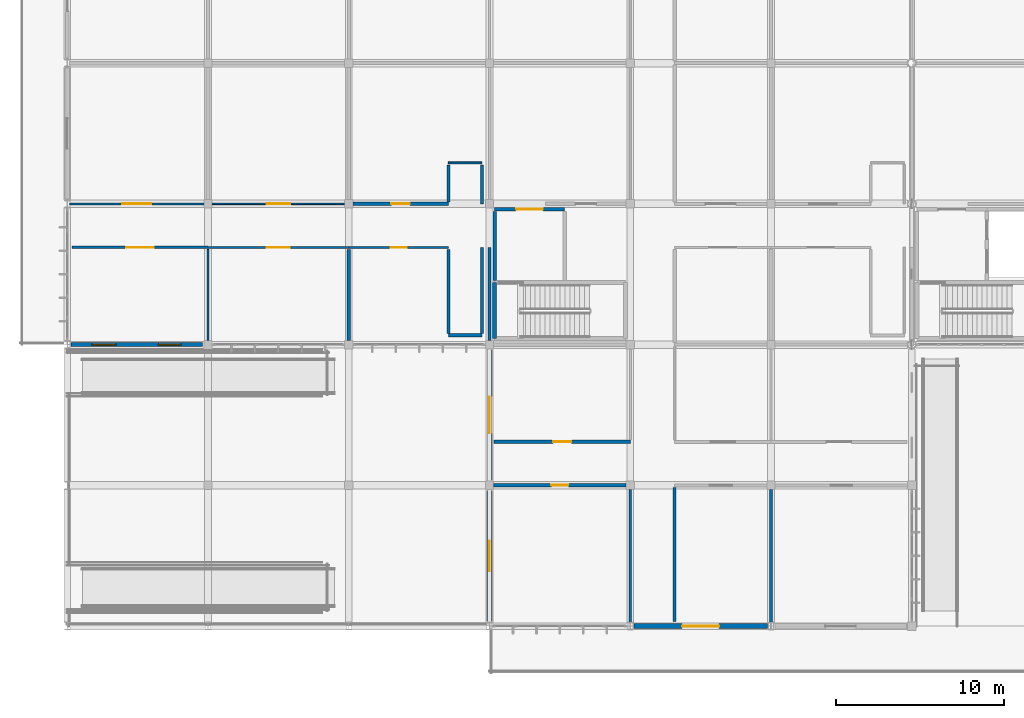
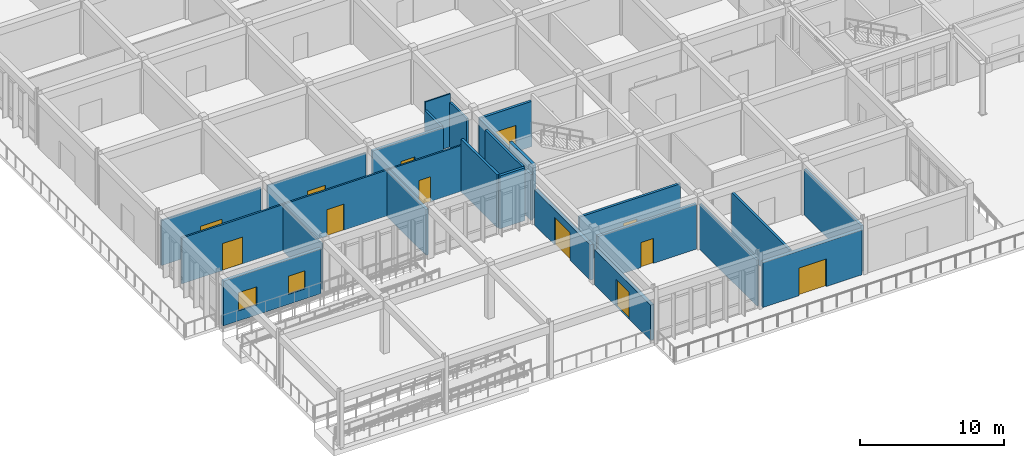
# One storey, part 89 of 138: 27 walls, 12 doors, 2 windows, 14 openings.
"""IFC4 building model written with IfcOpenShell, lengths in metres."""

from ifc_helpers import new_model, si_unit, direction, frame, frame_2d, origin, place, context, subcontext, project, spatial, rectangle, extrude, material, layer, layer_set, type_object, element, fill, save


model = new_model("IFC4")

# Units and contexts
model_context = context("Model", 3, precision=1e-05, world=origin(), true_north=direction((0.0, 1.0)))
body_context = subcontext(model_context, "Body", "Model", "MODEL_VIEW")
ifc_project = project(units=[si_unit("LENGTHUNIT", "METRE"), si_unit("AREAUNIT", "SQUARE_METRE"), si_unit("VOLUMEUNIT", "CUBIC_METRE"), si_unit("PLANEANGLEUNIT", "RADIAN"), si_unit("MASSUNIT", "GRAM", prefix="KILO")], contexts=[model_context])

# Site, building, storey
site_placement = place(None, origin())
site = spatial("IfcSite", under=ifc_project, at=site_placement, CompositionType="ELEMENT")
building_placement = place(site_placement, origin())
building = spatial("IfcBuilding", under=site, at=building_placement, Name="Bramfleet General Hospital", CompositionType="ELEMENT")
storey_placement = place(building_placement, origin())
storey = spatial("IfcBuildingStorey", under=building, at=storey_placement, Name="L00", CompositionType="ELEMENT", Elevation=0.0)

# Wall, opening, door
ifc_material_1 = material(Name="Precast concrete C40/50", Category="concrete")
ifc_layer_1 = layer(ifc_material_1, 0.294921875, Name="WT-EW-05")
ifc_layer_set_1 = layer_set([ifc_layer_1], Name="Precast concrete C40/50")
wall_type_1 = type_object("IfcWallType", Name="WT-EW-05", PredefinedType="SOLIDWALL", material=ifc_layer_set_1)
wall_1_placement = place(storey_placement, frame((41.77490234375, 0.0, 0.0), z_axis=(0.0, 0.0, 1.0), x_axis=(-1.0, 0.0, 0.0)))
wall_1 = element("IfcWall", 1, at=wall_1_placement, inside=storey, type_object=wall_type_1, Name="L00 Exterior Wall 150", PredefinedType="SOLIDWALL", context=body_context, shape_type="SweptSolid", body=[
    extrude(rectangle(XDim=7.949951171875, YDim=0.294921875, at=frame_2d((3.97509765625, 0.0))), origin(), (0.0, 0.0, 1.0), 3.7900390625),
])
opening_1_placement = place(wall_1_placement, frame((2.875, 0.0, 0.0)))
opening_1 = element("IfcOpeningElement", 2, at=opening_1_placement, cuts=wall_1, Name="Opening D-L00-EXT-018", PredefinedType="OPENING", context=body_context, shape_type="SweptSolid", body=[
    extrude(rectangle(XDim=2.199951171875, YDim=2.35009765625, at=frame_2d((1.10009765625, 1.175048828125))), frame((0.0, 0.157470703125, 0.0), z_axis=(0.0, -1.0, 0.0), x_axis=(1.0, 0.0, 0.0)), (0.0, 0.0, 1.0), 0.31494140625),
])
ifc_material_2 = material(Name="Thermally broken steel and laminated safety glass", Category="steel")
door_type_1 = type_object("IfcDoorType", Name="DR-ED-01", OperationType="NOTDEFINED", PredefinedType="DOOR", material=ifc_material_2)
door_1_placement = place(opening_1_placement, origin())
door_1 = element("IfcDoor", 3, at=door_1_placement, inside=storey, type_object=door_type_1, Name="Ground Exterior Pedestrian Door D-L00-EXT-018", OperationType="DOUBLE_SWING_LEFT", OverallHeight=2.35009765625, OverallWidth=2.199951171875, PredefinedType="DOOR", context=body_context, shape_type="SweptSolid", body=[
    extrude(rectangle(XDim=2.199951171875, YDim=2.35009765625, at=frame_2d((1.10009765625, 1.175048828125))), frame((0.0, 0.02490234375, 0.0), z_axis=(0.0, -1.0, 0.0), x_axis=(1.0, 0.0, 0.0)), (0.0, 0.0, 1.0), 0.050048828125),
])
fill(opening_1, door_1)

ifc_layer_2 = layer(ifc_material_1, 0.280029296875, Name="WT-EW-06")
ifc_layer_set_2 = layer_set([ifc_layer_2], Name="Precast concrete C40/50")
wall_type_2 = type_object("IfcWallType", Name="WT-EW-06", PredefinedType="SOLIDWALL", material=ifc_layer_set_2)
wall_2_placement = place(storey_placement, frame((25.199951171875, 0.300048828125, 0.0), z_axis=(0.0, 0.0, 1.0), x_axis=(0.0, 1.0, 0.0)))
wall_2 = element("IfcWall", 4, at=wall_2_placement, inside=storey, type_object=wall_type_2, Name="L00 Exterior Wall 151", PredefinedType="SOLIDWALL", context=body_context, shape_type="SweptSolid", body=[
    extrude(rectangle(XDim=7.77490234375, YDim=0.280029296875, at=frame_2d((3.887451171875, 0.0))), origin(), (0.0, 0.0, 1.0), 2.989990234375),
])
opening_2_placement = place(wall_2_placement, frame((2.9775390625, 0.0, 0.0)))
opening_2 = element("IfcOpeningElement", 5, at=opening_2_placement, cuts=wall_2, Name="Opening D-L00-EXT-019", PredefinedType="OPENING", context=body_context, shape_type="SweptSolid", body=[
    extrude(rectangle(XDim=1.820068359375, YDim=2.280029296875, at=frame_2d((0.91015625, 1.14013671875))), frame((0.0, 0.14990234375, 0.0), z_axis=(0.0, -1.0, 0.0), x_axis=(1.0, 0.0, 0.0)), (0.0, 0.0, 1.0), 0.300048828125),
])
door_type_2 = type_object("IfcDoorType", Name="DR-ED-02", OperationType="NOTDEFINED", PredefinedType="DOOR", material=ifc_material_2)
door_2_placement = place(opening_2_placement, origin())
door_2 = element("IfcDoor", 6, at=door_2_placement, inside=storey, type_object=door_type_2, Name="Ground Exterior Pedestrian Door D-L00-EXT-019", OperationType="DOUBLE_SWING_LEFT", OverallHeight=2.280029296875, OverallWidth=1.820068359375, PredefinedType="DOOR", context=body_context, shape_type="SweptSolid", body=[
    extrude(rectangle(XDim=1.820068359375, YDim=2.280029296875, at=frame_2d((0.91015625, 1.14013671875))), frame((0.0, 0.02490234375, 0.0), z_axis=(0.0, -1.0, 0.0), x_axis=(1.0, 0.0, 0.0)), (0.0, 0.0, 1.0), 0.050048828125),
])
fill(opening_2, door_2)

ifc_layer_3 = layer(ifc_material_1, 0.264892578125, Name="WT-EW-07")
ifc_layer_set_3 = layer_set([ifc_layer_3], Name="Precast concrete C40/50")
wall_type_3 = type_object("IfcWallType", Name="WT-EW-07", PredefinedType="SOLIDWALL", material=ifc_layer_set_3)
wall_3_placement = place(storey_placement, frame((25.199951171875, 8.72509765625, 0.0), z_axis=(0.0, 0.0, 1.0), x_axis=(0.0, 1.0, 0.0)))
wall_3 = element("IfcWall", 7, at=wall_3_placement, inside=storey, type_object=wall_type_3, Name="L00 Exterior Wall 152", PredefinedType="SOLIDWALL", context=body_context, shape_type="SweptSolid", body=[
    extrude(rectangle(XDim=7.75, YDim=0.264892578125, at=frame_2d((3.875, 0.0))), origin(), (0.0, 0.0, 1.0), 2.989990234375),
])
opening_3_placement = place(wall_3_placement, frame((2.77490234375, 0.0, 0.0)))
opening_3 = element("IfcOpeningElement", 8, at=opening_3_placement, cuts=wall_3, Name="Opening D-L00-EXT-020", PredefinedType="OPENING", context=body_context, shape_type="SweptSolid", body=[
    extrude(rectangle(XDim=2.199951171875, YDim=2.35009765625, at=frame_2d((1.10009765625, 1.175048828125))), frame((0.0, 0.142333984375, 0.0), z_axis=(0.0, -1.0, 0.0), x_axis=(1.0, 0.0, 0.0)), (0.0, 0.0, 1.0), 0.284912109375),
])
door_3_placement = place(opening_3_placement, origin())
door_3 = element("IfcDoor", 9, at=door_3_placement, inside=storey, type_object=door_type_1, Name="Ground Exterior Pedestrian Door D-L00-EXT-020", OperationType="DOUBLE_SWING_LEFT", OverallHeight=2.35009765625, OverallWidth=2.199951171875, PredefinedType="DOOR", context=body_context, shape_type="SweptSolid", body=[
    extrude(rectangle(XDim=2.199951171875, YDim=2.35009765625, at=frame_2d((1.10009765625, 1.175048828125))), frame((0.0, 0.02490234375, 0.0), z_axis=(0.0, -1.0, 0.0), x_axis=(1.0, 0.0, 0.0)), (0.0, 0.0, 1.0), 0.050048828125),
])
fill(opening_3, door_3)

# Wall, openings, windows
ifc_layer_4 = layer(ifc_material_1, 0.25, Name="WT-EW-08")
ifc_layer_set_4 = layer_set([ifc_layer_4], Name="Precast concrete C40/50")
wall_type_4 = type_object("IfcWallType", Name="WT-EW-08", PredefinedType="SOLIDWALL", material=ifc_layer_set_4)
wall_4_placement = place(storey_placement, frame((8.074951171875, 16.800048828125, 0.0), z_axis=(0.0, 0.0, 1.0), x_axis=(-1.0, 0.0, 0.0)))
wall_4 = element("IfcWall", 10, at=wall_4_placement, inside=storey, type_object=wall_type_4, Name="L00 Exterior Wall 153", PredefinedType="SOLIDWALL", context=body_context, shape_type="SweptSolid", body=[
    extrude(rectangle(XDim=7.849853515625, YDim=0.25, at=frame_2d((3.9248046875, 0.0))), origin(), (0.0, 0.0, 1.0), 3.7900390625),
])
opening_4_placement = place(wall_4_placement, frame((1.28759765625, 0.0, 0.85009765625)))
opening_4 = element("IfcOpeningElement", 11, at=opening_4_placement, cuts=wall_4, Name="Opening W-24", PredefinedType="OPENING", context=body_context, shape_type="SweptSolid", body=[
    extrude(rectangle(XDim=1.35009765625, YDim=1.5400390625, at=frame_2d((0.675048828125, 0.77001953125))), frame((0.0, 0.135009765625, 0.0), z_axis=(0.0, -1.0, 0.0), x_axis=(1.0, 0.0, 0.0)), (0.0, 0.0, 1.0), 0.27001953125),
])
opening_5_placement = place(wall_4_placement, frame((5.16259765625, 0.0, 0.85009765625)))
opening_5 = element("IfcOpeningElement", 12, at=opening_5_placement, cuts=wall_4, Name="Opening W-25", PredefinedType="OPENING", context=body_context, shape_type="SweptSolid", body=[
    extrude(rectangle(XDim=1.449951171875, YDim=1.5400390625, at=frame_2d((0.72509765625, 0.77001953125))), frame((0.0, 0.135009765625, 0.0), z_axis=(0.0, -1.0, 0.0), x_axis=(1.0, 0.0, 0.0)), (0.0, 0.0, 1.0), 0.27001953125),
])
ifc_material_3 = material(Name="Anodised aluminium and low-E triple glazing", Category="aluminium")
window_type_1 = type_object("IfcWindowType", Name="WIN-W-24", PartitioningType="SINGLE_PANEL", PredefinedType="WINDOW", material=ifc_material_3)
window_1_placement = place(opening_4_placement, origin())
window_1 = element("IfcWindow", 13, at=window_1_placement, inside=storey, type_object=window_type_1, Name="L00 Facade Window WIN-L00-153-1", OverallHeight=1.5400390625, OverallWidth=1.35009765625, PartitioningType="SINGLE_PANEL", PredefinedType="WINDOW", context=body_context, shape_type="SweptSolid", body=[
    extrude(rectangle(XDim=1.35009765625, YDim=1.5400390625, at=frame_2d((0.675048828125, 0.77001953125))), frame((0.0, 0.030029296875, 0.0), z_axis=(0.0, -1.0, 0.0), x_axis=(1.0, 0.0, 0.0)), (0.0, 0.0, 1.0), 0.06005859375),
])
fill(opening_4, window_1)
window_type_2 = type_object("IfcWindowType", Name="WIN-W-25", PartitioningType="SINGLE_PANEL", PredefinedType="WINDOW", material=ifc_material_3)
window_2_placement = place(opening_5_placement, origin())
window_2 = element("IfcWindow", 14, at=window_2_placement, inside=storey, type_object=window_type_2, Name="L00 Facade Window WIN-L00-153-2", OverallHeight=1.5400390625, OverallWidth=1.449951171875, PartitioningType="SINGLE_PANEL", PredefinedType="WINDOW", context=body_context, shape_type="SweptSolid", body=[
    extrude(rectangle(XDim=1.449951171875, YDim=1.5400390625, at=frame_2d((0.72509765625, 0.77001953125))), frame((0.0, 0.030029296875, 0.0), z_axis=(0.0, -1.0, 0.0), x_axis=(1.0, 0.0, 0.0)), (0.0, 0.0, 1.0), 0.06005859375),
])
fill(opening_5, window_2)

# Wall, opening, door
ifc_material_4 = material(Name="Concrete C35/45", Category="concrete")
ifc_layer_5 = layer(ifc_material_4, 0.219970703125, Name="WT-IW-01")
ifc_layer_set_5 = layer_set([ifc_layer_5], Name="Concrete C35/45")
wall_type_5 = type_object("IfcWallType", Name="WT-IW-01", PredefinedType="PARTITIONING", material=ifc_layer_set_5)
wall_5_placement = place(storey_placement, frame((17.044921875, 25.199951171875, 0.0), z_axis=(0.0, 0.0, 1.0), x_axis=(1.0, 0.0, 0.0)))
wall_5 = element("IfcWall", 15, at=wall_5_placement, inside=storey, type_object=wall_type_5, Name="L00 Interior Partition IW-L00-0661", PredefinedType="PARTITIONING", context=body_context, shape_type="SweptSolid", body=[
    extrude(rectangle(XDim=5.705078125, YDim=0.219970703125, at=frame_2d((2.8525390625, 0.0))), origin(), (0.0, 0.0, 1.0), 3.840087890625),
])
opening_6_placement = place(wall_5_placement, frame((2.302490234375, 0.0, 0.0)))
opening_6 = element("IfcOpeningElement", 16, at=opening_6_placement, cuts=wall_5, Name="Opening D0427", PredefinedType="OPENING", context=body_context, shape_type="SweptSolid", body=[
    extrude(rectangle(XDim=1.10009765625, YDim=2.14990234375, at=frame_2d((0.550048828125, 1.074951171875))), frame((0.0, 0.119873046875, 0.0), z_axis=(0.0, -1.0, 0.0), x_axis=(1.0, 0.0, 0.0)), (0.0, 0.0, 1.0), 0.239990234375),
])
ifc_material_5 = material(Name="Stainless steel and acoustic timber leaf", Category="steel")
door_type_3 = type_object("IfcDoorType", Name="DR-D-11", OperationType="NOTDEFINED", PredefinedType="DOOR", material=ifc_material_5)
door_4_placement = place(opening_6_placement, origin())
door_4 = element("IfcDoor", 17, at=door_4_placement, inside=storey, type_object=door_type_3, Name="Emergency Resuscitation Bay 3 Door D0427", OperationType="SINGLE_SWING_RIGHT", OverallHeight=2.14990234375, OverallWidth=1.10009765625, PredefinedType="DOOR", context=body_context, shape_type="SweptSolid", body=[
    extrude(rectangle(XDim=1.10009765625, YDim=2.14990234375, at=frame_2d((0.550048828125, 1.074951171875))), frame((0.0, 0.02490234375, 0.0), z_axis=(0.0, -1.0, 0.0), x_axis=(1.0, 0.0, 0.0)), (0.0, 0.0, 1.0), 0.050048828125),
])
fill(opening_6, door_4)

# Wall
ifc_layer_6 = layer(ifc_material_4, 0.205078125, Name="WT-IW-02")
ifc_layer_set_6 = layer_set([ifc_layer_6], Name="Concrete C35/45")
wall_type_6 = type_object("IfcWallType", Name="WT-IW-02", PredefinedType="PARTITIONING", material=ifc_layer_set_6)
wall_6_placement = place(storey_placement, frame((25.5, 20.639892578125, 0.0), z_axis=(0.0, 0.0, 1.0), x_axis=(0.0, 1.0, 0.0)))
element("IfcWall", 18, at=wall_6_placement, inside=storey, type_object=wall_type_6, Name="L00 C7 Lobby West Compartment Wall", PredefinedType="PARTITIONING", context=body_context, shape_type="SweptSolid", body=[
    extrude(rectangle(XDim=4.1201171875, YDim=0.205078125, at=frame_2d((2.06005859375, 0.0))), origin(), (0.0, 0.0, 1.0), 3.889892578125),
])

# Wall, opening, door
wall_7_placement = place(storey_placement, frame((25.5, 24.8798828125, 0.0), z_axis=(0.0, 0.0, 1.0), x_axis=(1.0, 0.0, 0.0)))
wall_7 = element("IfcWall", 19, at=wall_7_placement, inside=storey, type_object=wall_type_6, Name="L00 C7 Lobby North Compartment Wall", PredefinedType="PARTITIONING", context=body_context, shape_type="SweptSolid", body=[
    extrude(rectangle(XDim=4.179931640625, YDim=0.205078125, at=frame_2d((2.08984375, 0.0))), origin(), (0.0, 0.0, 1.0), 3.840087890625),
])
opening_7_placement = place(wall_7_placement, frame((1.2900390625, 0.0, 0.0)))
opening_7 = element("IfcOpeningElement", 20, at=opening_7_placement, cuts=wall_7, Name="Opening D0094", PredefinedType="OPENING", context=body_context, shape_type="SweptSolid", body=[
    extrude(rectangle(XDim=1.60009765625, YDim=2.25, at=frame_2d((0.800048828125, 1.125))), frame((0.0, 0.112548828125, 0.0), z_axis=(0.0, -1.0, 0.0), x_axis=(1.0, 0.0, 0.0)), (0.0, 0.0, 1.0), 0.22509765625),
])
door_type_4 = type_object("IfcDoorType", Name="DR-D-04", OperationType="NOTDEFINED", PredefinedType="DOOR", material=ifc_material_5)
door_5_placement = place(opening_7_placement, origin())
door_5 = element("IfcDoor", 21, at=door_5_placement, inside=storey, type_object=door_type_4, Name="L00 C7 Lobby Fire Door D0094", OperationType="DOUBLE_SWING_LEFT", OverallHeight=2.25, OverallWidth=1.60009765625, PredefinedType="DOOR", context=body_context, shape_type="SweptSolid", body=[
    extrude(rectangle(XDim=1.60009765625, YDim=2.25, at=frame_2d((0.800048828125, 1.125))), frame((0.0, 0.02490234375, 0.0), z_axis=(0.0, -1.0, 0.0), x_axis=(1.0, 0.0, 0.0)), (0.0, 0.0, 1.0), 0.050048828125),
])
fill(opening_7, door_5)

wall_8_placement = place(storey_placement, frame((25.445068359375, 8.39990234375, 0.0), z_axis=(0.0, 0.0, 1.0), x_axis=(1.0, 0.0, 0.0)))
wall_8 = element("IfcWall", 22, at=wall_8_placement, inside=storey, type_object=wall_type_6, Name="L00 Interior Partition IW-L00-0602", PredefinedType="PARTITIONING", context=body_context, shape_type="SweptSolid", body=[
    extrude(rectangle(XDim=7.909912109375, YDim=0.205078125, at=frame_2d((3.955078125, 0.0))), origin(), (0.0, 0.0, 1.0), 3.840087890625),
])
opening_8_placement = place(wall_8_placement, frame((3.445068359375, 0.0, 0.0)))
opening_8 = element("IfcOpeningElement", 23, at=opening_8_placement, cuts=wall_8, Name="Opening D0437", PredefinedType="OPENING", context=body_context, shape_type="SweptSolid", body=[
    extrude(rectangle(XDim=1.02001953125, YDim=2.1201171875, at=frame_2d((0.510009765625, 1.06005859375))), frame((0.0, 0.112548828125, 0.0), z_axis=(0.0, -1.0, 0.0), x_axis=(1.0, 0.0, 0.0)), (0.0, 0.0, 1.0), 0.22509765625),
])
door_type_5 = type_object("IfcDoorType", Name="DR-D-21", OperationType="NOTDEFINED", PredefinedType="DOOR", material=ifc_material_5)
door_6_placement = place(opening_8_placement, origin())
door_6 = element("IfcDoor", 24, at=door_6_placement, inside=storey, type_object=door_type_5, Name="Emergency Department Ambulance Triage Door D0437", OperationType="SINGLE_SWING_RIGHT", OverallHeight=2.1201171875, OverallWidth=1.02001953125, PredefinedType="DOOR", context=body_context, shape_type="SweptSolid", body=[
    extrude(rectangle(XDim=1.02001953125, YDim=2.1201171875, at=frame_2d((0.510009765625, 1.06005859375))), frame((0.0, 0.02490234375, 0.0), z_axis=(0.0, -1.0, 0.0), x_axis=(1.0, 0.0, 0.0)), (0.0, 0.0, 1.0), 0.050048828125),
])
fill(opening_8, door_6)

# Walls
wall_9_placement = place(storey_placement, frame((22.75, 17.35009765625, 0.0), z_axis=(0.0, 0.0, 1.0), x_axis=(1.0, 0.0, 0.0)))
element("IfcWall", 25, at=wall_9_placement, inside=storey, type_object=wall_type_6, Name="L00 Interior Partition IW-L00-0638", PredefinedType="PARTITIONING", context=body_context, shape_type="SweptSolid", body=[
    extrude(rectangle(XDim=2.0, YDim=0.205078125, at=frame_2d((1.0, 0.0))), origin(), (0.0, 0.0, 1.0), 4.489990234375),
])
wall_10_placement = place(storey_placement, frame((16.800048828125, 17.044921875, 0.0), z_axis=(0.0, 0.0, 1.0), x_axis=(0.0, 1.0, 0.0)))
element("IfcWall", 26, at=wall_10_placement, inside=storey, type_object=wall_type_6, Name="L00 Interior Partition IW-L00-0926", PredefinedType="PARTITIONING", context=body_context, shape_type="SweptSolid", body=[
    extrude(rectangle(XDim=5.440185546875, YDim=0.205078125, at=frame_2d((2.72021484375, 0.0))), origin(), (0.0, 0.0, 1.0), 3.889892578125),
])
wall_11_placement = place(storey_placement, frame((22.75, 17.465087890625, 0.0), z_axis=(0.0, 0.0, 1.0), x_axis=(0.0, 1.0, 0.0)))
element("IfcWall", 27, at=wall_11_placement, inside=storey, type_object=wall_type_6, Name="L00 Interior Partition IW-L00-0938", PredefinedType="PARTITIONING", context=body_context, shape_type="SweptSolid", body=[
    extrude(rectangle(XDim=5.02001953125, YDim=0.205078125, at=frame_2d((2.510009765625, 0.0))), origin(), (0.0, 0.0, 1.0), 4.489990234375),
])

# Wall, opening, door
ifc_layer_7 = layer(ifc_material_4, 0.18994140625, Name="WT-IW-03")
ifc_layer_set_7 = layer_set([ifc_layer_7], Name="Concrete C35/45")
wall_type_7 = type_object("IfcWallType", Name="WT-IW-03", PredefinedType="PARTITIONING", material=ifc_layer_set_7)
wall_12_placement = place(storey_placement, frame((25.47998046875, 11.0, 0.0), z_axis=(0.0, 0.0, 1.0), x_axis=(1.0, 0.0, 0.0)))
wall_12 = element("IfcWall", 28, at=wall_12_placement, inside=storey, type_object=wall_type_7, Name="L00 Interior Partition IW-L00-0615", PredefinedType="PARTITIONING", context=body_context, shape_type="SweptSolid", body=[
    extrude(rectangle(XDim=8.1201171875, YDim=0.18994140625, at=frame_2d((4.06005859375, 0.0))), origin(), (0.0, 0.0, 1.0), 3.889892578125),
])
opening_9_placement = place(wall_12_placement, frame((3.52001953125, 0.0, 0.0)))
opening_9 = element("IfcOpeningElement", 29, at=opening_9_placement, cuts=wall_12, Name="Opening D0438", PredefinedType="OPENING", context=body_context, shape_type="SweptSolid", body=[
    extrude(rectangle(XDim=1.080078125, YDim=2.1201171875, at=frame_2d((0.5400390625, 1.06005859375))), frame((0.0, 0.10498046875, 0.0), z_axis=(0.0, -1.0, 0.0), x_axis=(1.0, 0.0, 0.0)), (0.0, 0.0, 1.0), 0.2099609375),
])
door_type_6 = type_object("IfcDoorType", Name="DR-D-22", OperationType="NOTDEFINED", PredefinedType="DOOR", material=ifc_material_5)
door_7_placement = place(opening_9_placement, origin())
door_7 = element("IfcDoor", 30, at=door_7_placement, inside=storey, type_object=door_type_6, Name="Emergency Department Exam Room 0301 Door D0438", OperationType="SINGLE_SWING_LEFT", OverallHeight=2.1201171875, OverallWidth=1.080078125, PredefinedType="DOOR", context=body_context, shape_type="SweptSolid", body=[
    extrude(rectangle(XDim=1.080078125, YDim=2.1201171875, at=frame_2d((0.5400390625, 1.06005859375))), frame((0.0, 0.02490234375, 0.0), z_axis=(0.0, -1.0, 0.0), x_axis=(1.0, 0.0, 0.0)), (0.0, 0.0, 1.0), 0.050048828125),
])
fill(opening_9, door_7)

# Walls
wall_13_placement = place(storey_placement, frame((22.75, 25.31494140625, 0.0), z_axis=(0.0, 0.0, 1.0), x_axis=(0.0, 1.0, 0.0)))
element("IfcWall", 31, at=wall_13_placement, inside=storey, type_object=wall_type_7, Name="L00 Interior Partition IW-L00-0939", PredefinedType="PARTITIONING", context=body_context, shape_type="SweptSolid", body=[
    extrude(rectangle(XDim=2.219970703125, YDim=0.18994140625, at=frame_2d((1.10986328125, 0.0))), origin(), (0.0, 0.0, 1.0), 3.840087890625),
])
ifc_layer_8 = layer(ifc_material_4, 0.179931640625, Name="WT-IW-04")
ifc_layer_set_8 = layer_set([ifc_layer_8], Name="Concrete C35/45")
wall_type_8 = type_object("IfcWallType", Name="WT-IW-04", PredefinedType="PARTITIONING", material=ifc_layer_set_8)
wall_14_placement = place(storey_placement, frame((24.75, 17.465087890625, 0.0), z_axis=(0.0, 0.0, 1.0), x_axis=(0.0, 1.0, 0.0)))
element("IfcWall", 32, at=wall_14_placement, inside=storey, type_object=wall_type_8, Name="L00 Interior Partition IW-L00-0940", PredefinedType="PARTITIONING", context=body_context, shape_type="SweptSolid", body=[
    extrude(rectangle(XDim=5.135009765625, YDim=0.179931640625, at=frame_2d((2.5673828125, 0.0))), origin(), (0.0, 0.0, 1.0), 4.489990234375),
])
wall_15_placement = place(storey_placement, frame((36.25, 0.280029296875, 0.0), z_axis=(0.0, 0.0, 1.0), x_axis=(0.0, 1.0, 0.0)))
element("IfcWall", 33, at=wall_15_placement, inside=storey, type_object=wall_type_8, Name="L00 Interior Partition IW-L00-0971", PredefinedType="PARTITIONING", context=body_context, shape_type="SweptSolid", body=[
    extrude(rectangle(XDim=8.0048828125, YDim=0.179931640625, at=frame_2d((4.00244140625, 0.0))), origin(), (0.0, 0.0, 1.0), 3.840087890625),
])
wall_16_placement = place(storey_placement, frame((42.0, 0.219970703125, 0.0), z_axis=(0.0, 0.0, 1.0), x_axis=(0.0, 1.0, 0.0)))
element("IfcWall", 34, at=wall_16_placement, inside=storey, type_object=wall_type_8, Name="L00 Interior Partition IW-L00-0983", PredefinedType="PARTITIONING", context=body_context, shape_type="SweptSolid", body=[
    extrude(rectangle(XDim=7.93505859375, YDim=0.179931640625, at=frame_2d((3.967529296875, 0.0))), origin(), (0.0, 0.0, 1.0), 3.889892578125),
])
ifc_material_6 = material(Name="Gypsum plasterboard on acoustic steel studs", Category="steel")
ifc_layer_9 = layer(ifc_material_6, 0.169921875, Name="WT-IW-05")
ifc_layer_set_9 = layer_set([ifc_layer_9], Name="Gypsum plasterboard on acoustic steel studs")
wall_type_9 = type_object("IfcWallType", Name="WT-IW-05", PredefinedType="PARTITIONING", material=ifc_layer_set_9)
wall_17_placement = place(storey_placement, frame((24.75, 25.199951171875, 0.0), z_axis=(0.0, 0.0, 1.0), x_axis=(0.0, 1.0, 0.0)))
element("IfcWall", 35, at=wall_17_placement, inside=storey, type_object=wall_type_9, Name="L00 Interior Partition IW-L00-0941", PredefinedType="PARTITIONING", context=body_context, shape_type="SweptSolid", body=[
    extrude(rectangle(XDim=2.3349609375, YDim=0.169921875, at=frame_2d((1.16748046875, 0.0))), origin(), (0.0, 0.0, 1.0), 3.840087890625),
])
ifc_layer_10 = layer(ifc_material_6, 0.159912109375, Name="WT-IW-06")
ifc_layer_set_10 = layer_set([ifc_layer_10], Name="Gypsum plasterboard on acoustic steel studs")
wall_type_10 = type_object("IfcWallType", Name="WT-IW-06", PredefinedType="PARTITIONING", material=ifc_layer_set_10)
wall_18_placement = place(storey_placement, frame((25.199951171875, 17.044921875, 0.0), z_axis=(0.0, 0.0, 1.0), x_axis=(0.0, 1.0, 0.0)))
element("IfcWall", 36, at=wall_18_placement, inside=storey, type_object=wall_type_10, Name="L00 Interior Partition IW-L00-0942", PredefinedType="PARTITIONING", context=body_context, shape_type="SweptSolid", body=[
    extrude(rectangle(XDim=5.55517578125, YDim=0.159912109375, at=frame_2d((2.777587890625, 0.0))), origin(), (0.0, 0.0, 1.0), 3.889892578125),
])

# Wall, opening, door
ifc_layer_11 = layer(ifc_material_6, 0.14990234375, Name="WT-IW-07")
ifc_layer_set_11 = layer_set([ifc_layer_11], Name="Gypsum plasterboard on acoustic steel studs")
wall_type_11 = type_object("IfcWallType", Name="WT-IW-07", PredefinedType="PARTITIONING", material=ifc_layer_set_11)
wall_19_placement = place(storey_placement, frame((0.280029296875, 22.60009765625, 0.0), z_axis=(0.0, 0.0, 1.0), x_axis=(1.0, 0.0, 0.0)))
wall_19 = element("IfcWall", 37, at=wall_19_placement, inside=storey, type_object=wall_type_11, Name="L00 Interior Partition IW-L00-0643", PredefinedType="PARTITIONING", context=body_context, shape_type="SweptSolid", body=[
    extrude(rectangle(XDim=8.119873046875, YDim=0.14990234375, at=frame_2d((4.06005859375, 0.0))), origin(), (0.0, 0.0, 1.0), 3.889892578125),
])
opening_10_placement = place(wall_19_placement, frame((3.239990234375, 0.0, 0.0)))
opening_10 = element("IfcOpeningElement", 38, at=opening_10_placement, cuts=wall_19, Name="Opening D0402", PredefinedType="OPENING", context=body_context, shape_type="SweptSolid", body=[
    extrude(rectangle(XDim=1.639892578125, YDim=2.280029296875, at=frame_2d((0.81982421875, 1.14013671875))), frame((0.0, 0.0849609375, 0.0), z_axis=(0.0, -1.0, 0.0), x_axis=(1.0, 0.0, 0.0)), (0.0, 0.0, 1.0), 0.169921875),
])
door_type_7 = type_object("IfcDoorType", Name="DR-D-18", OperationType="NOTDEFINED", PredefinedType="DOOR", material=ifc_material_5)
door_8_placement = place(opening_10_placement, origin())
door_8 = element("IfcDoor", 39, at=door_8_placement, inside=storey, type_object=door_type_7, Name="Emergency Department Exam Room 0002 Door D0402", OperationType="DOUBLE_SWING_LEFT", OverallHeight=2.280029296875, OverallWidth=1.639892578125, PredefinedType="DOOR", context=body_context, shape_type="SweptSolid", body=[
    extrude(rectangle(XDim=1.639892578125, YDim=2.280029296875, at=frame_2d((0.81982421875, 1.14013671875))), frame((0.0, 0.02490234375, 0.0), z_axis=(0.0, -1.0, 0.0), x_axis=(1.0, 0.0, 0.0)), (0.0, 0.0, 1.0), 0.050048828125),
])
fill(opening_10, door_8)

ifc_layer_12 = layer(ifc_material_6, 0.139892578125, Name="WT-IW-08")
ifc_layer_set_12 = layer_set([ifc_layer_12], Name="Gypsum plasterboard on acoustic steel studs")
wall_type_12 = type_object("IfcWallType", Name="WT-IW-08", PredefinedType="PARTITIONING", material=ifc_layer_set_12)
wall_20_placement = place(storey_placement, frame((8.39990234375, 22.60009765625, 0.0), z_axis=(0.0, 0.0, 1.0), x_axis=(1.0, 0.0, 0.0)))
wall_20 = element("IfcWall", 40, at=wall_20_placement, inside=storey, type_object=wall_type_12, Name="L00 Interior Partition IW-L00-0644", PredefinedType="PARTITIONING", context=body_context, shape_type="SweptSolid", body=[
    extrude(rectangle(XDim=8.400146484375, YDim=0.139892578125, at=frame_2d((4.2001953125, 0.0))), origin(), (0.0, 0.0, 1.0), 3.889892578125),
])
opening_11_placement = place(wall_20_placement, frame((3.510009765625, 0.0, 0.0)))
opening_11 = element("IfcOpeningElement", 41, at=opening_11_placement, cuts=wall_20, Name="Opening D0414", PredefinedType="OPENING", context=body_context, shape_type="SweptSolid", body=[
    extrude(rectangle(XDim=1.3798828125, YDim=2.219970703125, at=frame_2d((0.68994140625, 1.10986328125))), frame((0.0, 0.079833984375, 0.0), z_axis=(0.0, -1.0, 0.0), x_axis=(1.0, 0.0, 0.0)), (0.0, 0.0, 1.0), 0.159912109375),
])
door_type_8 = type_object("IfcDoorType", Name="DR-D-30", OperationType="NOTDEFINED", PredefinedType="DOOR", material=ifc_material_5)
door_9_placement = place(opening_11_placement, origin())
door_9 = element("IfcDoor", 42, at=door_9_placement, inside=storey, type_object=door_type_8, Name="Emergency Department Exam Room 0102 Door D0414", OperationType="SINGLE_SWING_LEFT", OverallHeight=2.219970703125, OverallWidth=1.3798828125, PredefinedType="DOOR", context=body_context, shape_type="SweptSolid", body=[
    extrude(rectangle(XDim=1.3798828125, YDim=2.219970703125, at=frame_2d((0.68994140625, 1.10986328125))), frame((0.0, 0.02490234375, 0.0), z_axis=(0.0, -1.0, 0.0), x_axis=(1.0, 0.0, 0.0)), (0.0, 0.0, 1.0), 0.050048828125),
])
fill(opening_11, door_9)

ifc_layer_13 = layer(ifc_material_6, 0.1298828125, Name="WT-IW-09")
ifc_layer_set_13 = layer_set([ifc_layer_13], Name="Gypsum plasterboard on acoustic steel studs")
wall_type_13 = type_object("IfcWallType", Name="WT-IW-09", PredefinedType="PARTITIONING", material=ifc_layer_set_13)
wall_21_placement = place(storey_placement, frame((16.800048828125, 22.60009765625, 0.0), z_axis=(0.0, 0.0, 1.0), x_axis=(1.0, 0.0, 0.0)))
wall_21 = element("IfcWall", 43, at=wall_21_placement, inside=storey, type_object=wall_type_13, Name="L00 Interior Partition IW-L00-0645", PredefinedType="PARTITIONING", context=body_context, shape_type="SweptSolid", body=[
    extrude(rectangle(XDim=5.949951171875, YDim=0.1298828125, at=frame_2d((2.97509765625, 0.0))), origin(), (0.0, 0.0, 1.0), 3.889892578125),
])
opening_12_placement = place(wall_21_placement, frame((2.5, 0.0, 0.0)))
opening_12 = element("IfcOpeningElement", 44, at=opening_12_placement, cuts=wall_21, Name="Opening D0426", PredefinedType="OPENING", context=body_context, shape_type="SweptSolid", body=[
    extrude(rectangle(XDim=0.949951171875, YDim=2.10009765625, at=frame_2d((0.47509765625, 1.050048828125))), frame((0.0, 0.074951171875, 0.0), z_axis=(0.0, -1.0, 0.0), x_axis=(1.0, 0.0, 0.0)), (0.0, 0.0, 1.0), 0.14990234375),
])
door_type_9 = type_object("IfcDoorType", Name="DR-D-10", OperationType="NOTDEFINED", PredefinedType="DOOR", material=ifc_material_5)
door_10_placement = place(opening_12_placement, origin())
door_10 = element("IfcDoor", 45, at=door_10_placement, inside=storey, type_object=door_type_9, Name="Emergency Department Exam Room 0202 Door D0426", OperationType="SINGLE_SWING_LEFT", OverallHeight=2.10009765625, OverallWidth=0.949951171875, PredefinedType="DOOR", context=body_context, shape_type="SweptSolid", body=[
    extrude(rectangle(XDim=0.949951171875, YDim=2.10009765625, at=frame_2d((0.47509765625, 1.050048828125))), frame((0.0, 0.02490234375, 0.0), z_axis=(0.0, -1.0, 0.0), x_axis=(1.0, 0.0, 0.0)), (0.0, 0.0, 1.0), 0.050048828125),
])
fill(opening_12, door_10)

# Wall
wall_22_placement = place(storey_placement, frame((33.60009765625, 0.219970703125, 0.0), z_axis=(0.0, 0.0, 1.0), x_axis=(0.0, 1.0, 0.0)))
element("IfcWall", 46, at=wall_22_placement, inside=storey, type_object=wall_type_13, Name="L00 Interior Partition IW-L00-0957", PredefinedType="PARTITIONING", context=body_context, shape_type="SweptSolid", body=[
    extrude(rectangle(XDim=7.93505859375, YDim=0.1298828125, at=frame_2d((3.967529296875, 0.0))), origin(), (0.0, 0.0, 1.0), 3.889892578125),
])

# Wall, opening, door
ifc_layer_14 = layer(ifc_material_6, 0.112060546875, Name="WT-IW-11")
ifc_layer_set_14 = layer_set([ifc_layer_14], Name="Gypsum plasterboard on acoustic steel studs")
wall_type_14 = type_object("IfcWallType", Name="WT-IW-11", PredefinedType="PARTITIONING", material=ifc_layer_set_14)
wall_23_placement = place(storey_placement, frame((0.14501953125, 25.199951171875, 0.0), z_axis=(0.0, 0.0, 1.0), x_axis=(1.0, 0.0, 0.0)))
wall_23 = element("IfcWall", 47, at=wall_23_placement, inside=storey, type_object=wall_type_14, Name="L00 Interior Partition IW-L00-0659", PredefinedType="PARTITIONING", context=body_context, shape_type="SweptSolid", body=[
    extrude(rectangle(XDim=8.010009765625, YDim=0.112060546875, at=frame_2d((4.0048828125, 0.0))), origin(), (0.0, 0.0, 1.0), 3.840087890625),
])
opening_13_placement = place(wall_23_placement, frame((3.135009765625, 0.0, 0.0)))
opening_13 = element("IfcOpeningElement", 48, at=opening_13_placement, cuts=wall_23, Name="Opening D0403", PredefinedType="OPENING", context=body_context, shape_type="SweptSolid", body=[
    extrude(rectangle(XDim=1.739990234375, YDim=2.239990234375, at=frame_2d((0.8701171875, 1.1201171875))), frame((0.0, 0.06591796875, 0.0), z_axis=(0.0, -1.0, 0.0), x_axis=(1.0, 0.0, 0.0)), (0.0, 0.0, 1.0), 0.132080078125),
])
door_type_10 = type_object("IfcDoorType", Name="DR-D-19", OperationType="NOTDEFINED", PredefinedType="DOOR", material=ifc_material_5)
door_11_placement = place(opening_13_placement, origin())
door_11 = element("IfcDoor", 49, at=door_11_placement, inside=storey, type_object=door_type_10, Name="Emergency Resuscitation Bay 1 Door D0403", OperationType="DOUBLE_SWING_RIGHT", OverallHeight=2.239990234375, OverallWidth=1.739990234375, PredefinedType="DOOR", context=body_context, shape_type="SweptSolid", body=[
    extrude(rectangle(XDim=1.739990234375, YDim=2.239990234375, at=frame_2d((0.8701171875, 1.1201171875))), frame((0.0, 0.02490234375, 0.0), z_axis=(0.0, -1.0, 0.0), x_axis=(1.0, 0.0, 0.0)), (0.0, 0.0, 1.0), 0.050048828125),
])
fill(opening_13, door_11)

# Wall
wall_24_placement = place(storey_placement, frame((22.75, 27.64990234375, 0.0), z_axis=(0.0, 0.0, 1.0), x_axis=(1.0, 0.0, 0.0)))
element("IfcWall", 50, at=wall_24_placement, inside=storey, type_object=wall_type_14, Name="L00 Interior Partition IW-L00-0671", PredefinedType="PARTITIONING", context=body_context, shape_type="SweptSolid", body=[
    extrude(rectangle(XDim=2.0, YDim=0.112060546875, at=frame_2d((1.0, 0.0))), origin(), (0.0, 0.0, 1.0), 4.489990234375),
])

# Wall, opening, door
ifc_layer_15 = layer(ifc_material_6, 0.10009765625, Name="WT-IW-12")
ifc_layer_set_15 = layer_set([ifc_layer_15], Name="Gypsum plasterboard on acoustic steel studs")
wall_type_15 = type_object("IfcWallType", Name="WT-IW-12", PredefinedType="PARTITIONING", material=ifc_layer_set_15)
wall_25_placement = place(storey_placement, frame((8.64501953125, 25.199951171875, 0.0), z_axis=(0.0, 0.0, 1.0), x_axis=(1.0, 0.0, 0.0)))
wall_25 = element("IfcWall", 51, at=wall_25_placement, inside=storey, type_object=wall_type_15, Name="L00 Interior Partition IW-L00-0660", PredefinedType="PARTITIONING", context=body_context, shape_type="SweptSolid", body=[
    extrude(rectangle(XDim=7.909912109375, YDim=0.10009765625, at=frame_2d((3.955078125, 0.0))), origin(), (0.0, 0.0, 1.0), 3.840087890625),
])
opening_14_placement = place(wall_25_placement, frame((3.2451171875, 0.0, 0.0)))
opening_14 = element("IfcOpeningElement", 52, at=opening_14_placement, cuts=wall_25, Name="Opening D0415", PredefinedType="OPENING", context=body_context, shape_type="SweptSolid", body=[
    extrude(rectangle(XDim=1.419921875, YDim=2.219970703125, at=frame_2d((0.7099609375, 1.10986328125))), frame((0.0, 0.06005859375, 0.0), z_axis=(0.0, -1.0, 0.0), x_axis=(1.0, 0.0, 0.0)), (0.0, 0.0, 1.0), 0.1201171875),
])
door_type_11 = type_object("IfcDoorType", Name="DR-D-31", OperationType="NOTDEFINED", PredefinedType="DOOR", material=ifc_material_5)
door_12_placement = place(opening_14_placement, origin())
door_12 = element("IfcDoor", 53, at=door_12_placement, inside=storey, type_object=door_type_11, Name="Emergency Resuscitation Bay 2 Door D0415", OperationType="SINGLE_SWING_RIGHT", OverallHeight=2.219970703125, OverallWidth=1.419921875, PredefinedType="DOOR", context=body_context, shape_type="SweptSolid", body=[
    extrude(rectangle(XDim=1.419921875, YDim=2.219970703125, at=frame_2d((0.7099609375, 1.10986328125))), frame((0.0, 0.02490234375, 0.0), z_axis=(0.0, -1.0, 0.0), x_axis=(1.0, 0.0, 0.0)), (0.0, 0.0, 1.0), 0.050048828125),
])
fill(opening_14, door_12)

# Walls
wall_26_placement = place(storey_placement, frame((8.39990234375, 17.044921875, 0.0), z_axis=(0.0, 0.0, 1.0), x_axis=(0.0, 1.0, 0.0)))
element("IfcWall", 54, at=wall_26_placement, inside=storey, type_object=wall_type_15, Name="L00 Interior Partition IW-L00-0912", PredefinedType="PARTITIONING", context=body_context, shape_type="SweptSolid", body=[
    extrude(rectangle(XDim=5.440185546875, YDim=0.10009765625, at=frame_2d((2.72021484375, 0.0))), origin(), (0.0, 0.0, 1.0), 3.889892578125),
])
ifc_material_7 = material(Name="Concrete C40/50", Category="concrete")
ifc_layer_16 = layer(ifc_material_7, 0.239990234375, Name="WT-SW-240")
ifc_layer_set_16 = layer_set([ifc_layer_16], Name="Concrete C40/50")
wall_type_16 = type_object("IfcWallType", Name="WT-SW-240", PredefinedType="SHEAR", material=ifc_layer_set_16)
wall_27_placement = place(storey_placement, frame((25.5, 17.179931640625, 0.0), z_axis=(0.0, 0.0, 1.0), x_axis=(0.0, 1.0, 0.0)))
element("IfcWall", 55, at=wall_27_placement, inside=storey, type_object=wall_type_16, Name="L00 C7 West Stair Shear Wall", PredefinedType="SHEAR", context=body_context, shape_type="SweptSolid", body=[
    extrude(rectangle(XDim=3.320068359375, YDim=0.239990234375, at=frame_2d((1.66015625, 0.0))), origin(), (0.0, 0.0, 1.0), 4.5),
])

save(model, "model.ifc")
